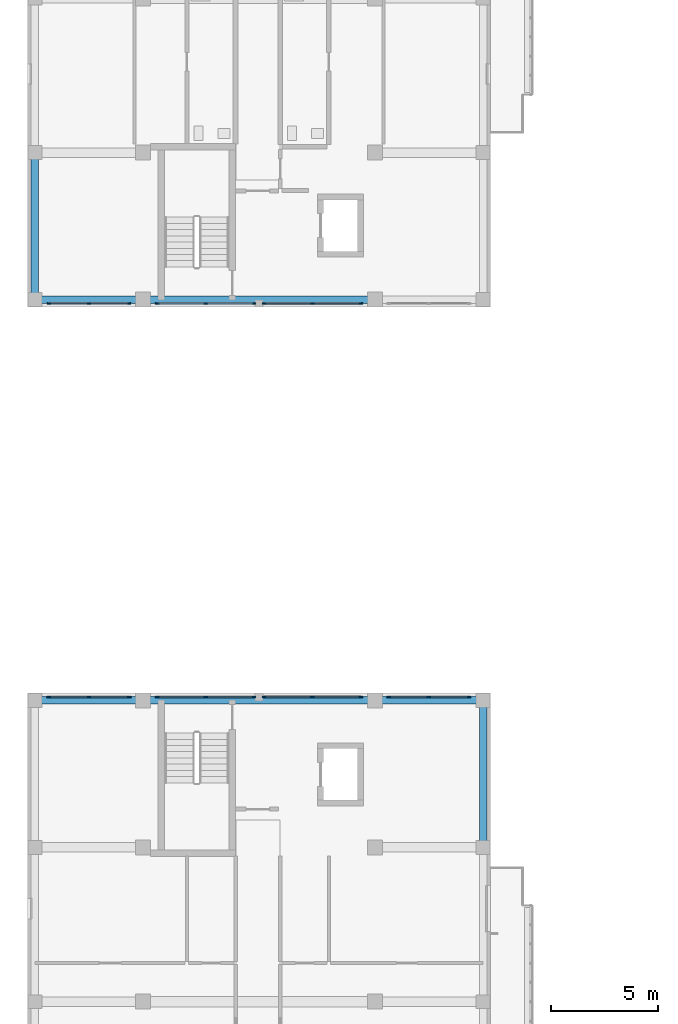
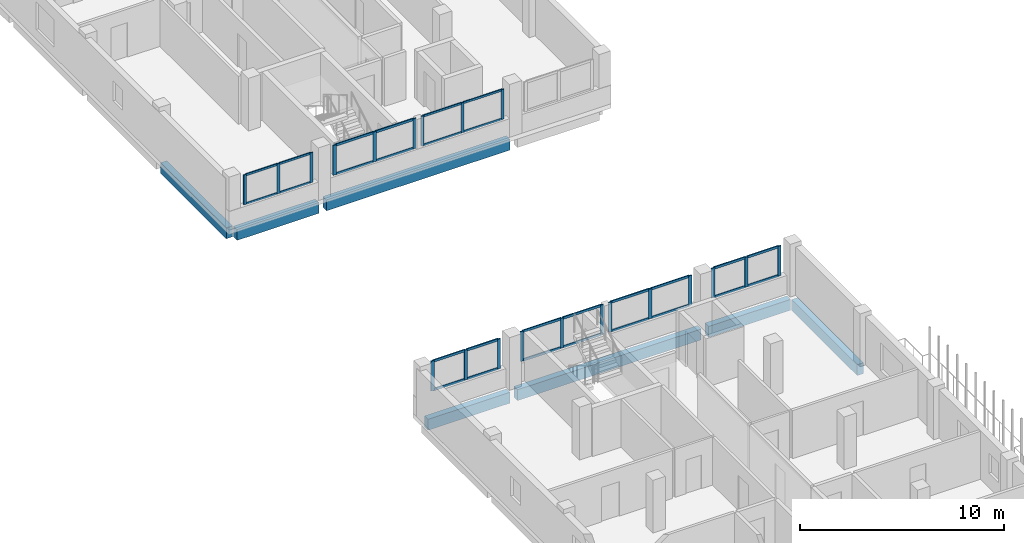
# One storey, part 7 of 51: 49 members, 7 beams, 7 elements without a shape of their own.
"""IFC4 building model written with IfcOpenShell, lengths in metres."""

import ifcopenshell
import ifcopenshell.guid

model = None  # the IFC model being written
_history = None  # IfcOwnerHistory: only IFC2X3 demands one
_inside = {}  # id of a spatial element -> (the spatial element, [elements in it])
_under = {}  # id of a project, library or spatial element -> (it, [spatial elements below it])
_declared = {}  # id of a project -> (the project, [libraries it declares])
_typed = {}  # id of a type object -> (the type object, [elements of that type])
_made_of = {}  # id of a material, layer set ... -> (it, [elements and type objects made of it])


def new_model(schema):
    """Start an empty IFC model of exactly this schema.

    Asked for "IFC4X3", IfcOpenShell would pick the latest addendum, in which some entities
    have other attributes; the version numbers below select the first issue.
    IFC2X3 requires an IfcOwnerHistory on every rooted entity: one is made here for all.
    """
    global model, _history
    if schema == "IFC4X3":
        model = ifcopenshell.file(schema_version=(4, 3, 0, 0))
    else:
        model = ifcopenshell.file(schema=schema)
    _inside.clear()
    _under.clear()
    _declared.clear()
    _typed.clear()
    _made_of.clear()
    _history = None
    if model.schema == "IFC2X3":
        org = make("IfcOrganization", Name="unknown")
        user = make(
            "IfcPersonAndOrganization",
            ThePerson=make("IfcPerson", FamilyName="unknown"),
            TheOrganization=org,
        )
        app = make(
            "IfcApplication",
            ApplicationDeveloper=org,
            Version="unknown",
            ApplicationFullName="unknown",
            ApplicationIdentifier="unknown",
        )
        _history = make(
            "IfcOwnerHistory",
            OwningUser=user,
            OwningApplication=app,
            ChangeAction="ADDED",
            CreationDate=0,
        )
    return model


def make(cls, **values):
    """One entity of the class cls with the attributes given. An attribute that is None is left unset."""
    return model.create_entity(
        cls, **{name: value for name, value in values.items() if value is not None}
    )


def rooted(cls, **values):
    """An entity with a GlobalId (a new one), such as an element, a storey or a relation."""
    return make(cls, GlobalId=ifcopenshell.guid.new(), OwnerHistory=_history, **values)


def si_unit(unit_type, name, prefix=None):
    """IfcSIUnit, for example si_unit("LENGTHUNIT", "METRE", prefix="MILLI")."""
    return make("IfcSIUnit", UnitType=unit_type, Prefix=prefix, Name=name)


def derived_unit(unit_type, elements):
    """IfcDerivedUnit: a product of units, each with its exponent."""
    return make(
        "IfcDerivedUnit",
        Elements=[
            make("IfcDerivedUnitElement", Unit=unit, Exponent=power)
            for unit, power in elements
        ],
        UnitType=unit_type,
    )


def assignment(units):
    """IfcUnitAssignment: the units of a project."""
    return None if units is None else make("IfcUnitAssignment", Units=units)


def point(xyz):
    """IfcCartesianPoint."""
    return None if xyz is None else make("IfcCartesianPoint", Coordinates=xyz)


def direction(xyz):
    """IfcDirection."""
    return None if xyz is None else make("IfcDirection", DirectionRatios=xyz)


def frame(location, z_axis=None, x_axis=None):
    """IfcAxis2Placement3D, a coordinate frame: its origin and axes. An axis left out is left unset."""
    return make(
        "IfcAxis2Placement3D",
        Location=point(location),
        Axis=direction(z_axis),
        RefDirection=direction(x_axis),
    )


def frame_2d(location, x_axis=None):
    """IfcAxis2Placement2D, a coordinate frame in the plane: its origin and x axis."""
    return make(
        "IfcAxis2Placement2D", Location=point(location), RefDirection=direction(x_axis)
    )


def origin():
    """The frame at (0, 0, 0) with its axes left unset."""
    return frame((0.0, 0.0, 0.0))


def origin_2d():
    """The frame at (0, 0) in the plane with its x axis left unset."""
    return frame_2d((0.0, 0.0))


def place(relative_to, where):
    """IfcLocalPlacement: puts the frame where relative to a parent placement (None: the world)."""
    return make(
        "IfcLocalPlacement", PlacementRelTo=relative_to, RelativePlacement=where
    )


def context(
    kind, dimensions, precision=None, world=None, true_north=None, identifier=None
):
    """IfcGeometricRepresentationContext, for example the 3D "Model" context."""
    return make(
        "IfcGeometricRepresentationContext",
        ContextIdentifier=identifier,
        ContextType=kind,
        CoordinateSpaceDimension=dimensions,
        Precision=precision,
        WorldCoordinateSystem=world,
        TrueNorth=true_north,
    )


def subcontext(parent, identifier, kind, view, scale=None):
    """IfcGeometricRepresentationSubContext, for example "Body" below "Model"."""
    return make(
        "IfcGeometricRepresentationSubContext",
        ContextIdentifier=identifier,
        ContextType=kind,
        ParentContext=parent,
        TargetScale=scale,
        TargetView=view,
    )


def project(units=None, contexts=None):
    """IfcProject with its units and contexts."""
    return rooted(
        "IfcProject",
        Name="project",
        RepresentationContexts=contexts,
        UnitsInContext=assignment(units),
    )


def spatial(cls, under=None, at=None, **own):
    """A site, building, storey or space (cls), placed at a placement, below another one or the project."""
    s = rooted(cls, ObjectPlacement=at, **own)
    if under is not None:
        _under.setdefault(under.id(), (under, []))[1].append(s)
    return s


def profile(cls, at=None, kind="AREA", **sizes):
    """A parametric profile (cls). Its sizes go by their IFC names, for example OverallWidth=200.0."""
    return make(cls, ProfileType=kind, Position=at, **sizes)


def rectangle(**sizes):
    """IfcRectangleProfileDef."""
    return profile("IfcRectangleProfileDef", **sizes)


def extrude(swept, where, along, depth):
    """IfcExtrudedAreaSolid: the profile swept, set in the frame where, extruded along a direction by depth."""
    return make(
        "IfcExtrudedAreaSolid",
        SweptArea=swept,
        Position=where,
        ExtrudedDirection=direction(along),
        Depth=depth,
    )


def shape(context_of_items, identifier, shape_type, items):
    """IfcShapeRepresentation: the items that make up one representation, for example the "Body"."""
    return make(
        "IfcShapeRepresentation",
        ContextOfItems=context_of_items,
        RepresentationIdentifier=identifier,
        RepresentationType=shape_type,
        Items=items,
    )


def material(Name=None, Category=None):
    """IfcMaterial."""
    return make("IfcMaterial", Name=Name, Category=Category)


def layer(
    of_material, thickness, ventilated=None, Name=None, Category=None, Priority=None
):
    """IfcMaterialLayer: one layer of a wall or slab, of a material (None: an air gap)."""
    return make(
        "IfcMaterialLayer",
        Material=of_material,
        LayerThickness=thickness,
        IsVentilated=ventilated,
        Name=Name,
        Category=Category,
        Priority=Priority,
    )


def layer_set(layers, Name=None):
    """IfcMaterialLayerSet."""
    return make("IfcMaterialLayerSet", MaterialLayers=layers, LayerSetName=Name)


def material_profile(
    of_material, cross_section, Name=None, Category=None, Priority=None
):
    """IfcMaterialProfile: a cross section and its material."""
    return make(
        "IfcMaterialProfile",
        Name=Name,
        Material=of_material,
        Profile=cross_section,
        Priority=Priority,
        Category=Category,
    )


def profile_set(profiles, Name=None, composite=None):
    """IfcMaterialProfileSet."""
    return make(
        "IfcMaterialProfileSet",
        Name=Name,
        MaterialProfiles=profiles,
        CompositeProfile=composite,
    )


def made_of(thing, what):
    """Note that an element or type object is made of a material, layer set ...; save() writes the relation."""
    if what is not None:
        _made_of.setdefault(what.id(), (what, []))[1].append(thing)
    return thing


def type_object(cls, material=None, **own):
    """A type object (cls), such as IfcWallType, which elements share."""
    return made_of(rooted(cls, **own), material)


def element(
    cls,
    number,
    at=None,
    inside=None,
    cuts=None,
    type_object=None,
    material=None,
    context=None,
    identifier="Body",
    shape_type=None,
    held_by="IfcProductDefinitionShape",
    body=None,
    shapes=None,
    **own,
):
    """One element of the class cls, such as IfcWall. Its Tag is "e" and its number.

    at: its placement. inside: the storey or other place that contains it. cuts: it is an
    opening in that element (IfcRelVoidsElement). A single representation is given by context,
    identifier, shape_type and body (its items); several are given by shapes. held_by: the class
    of the entity that holds the representations. save() writes the other relations.
    """
    e = rooted(cls, Tag="e%d" % number, ObjectPlacement=at, **own)
    if body is not None:
        shapes = [shape(context, identifier, shape_type, body)]
    if shapes is not None:
        e.Representation = make(held_by, Representations=shapes)
    if inside is not None:
        _inside.setdefault(inside.id(), (inside, []))[1].append(e)
    if cuts is not None:
        rooted(
            "IfcRelVoidsElement", RelatingBuildingElement=cuts, RelatedOpeningElement=e
        )
    if type_object is not None:
        _typed.setdefault(type_object.id(), (type_object, []))[1].append(e)
    return made_of(e, material)


def aggregate(whole, parts):
    """IfcRelAggregates: a whole, such as a stair, and the parts it consists of."""
    return rooted("IfcRelAggregates", RelatingObject=whole, RelatedObjects=parts)


def save(model, path):
    """Write the relations noted so far, then the file.

    IfcRelAggregates (storeys below a building ...), IfcRelContainedInSpatialStructure (elements
    in a storey), IfcRelDefinesByType, IfcRelAssociatesMaterial and IfcRelDeclares: one each for
    every whole, place, type object, material and project.
    """
    for whole, parts in _under.values():
        aggregate(whole, parts)
    for where, things in _inside.values():
        rooted(
            "IfcRelContainedInSpatialStructure",
            RelatedElements=things,
            RelatingStructure=where,
        )
    for kind, things in _typed.values():
        rooted("IfcRelDefinesByType", RelatedObjects=things, RelatingType=kind)
    for what, things in _made_of.values():
        rooted("IfcRelAssociatesMaterial", RelatedObjects=things, RelatingMaterial=what)
    for by, libraries in _declared.values():
        rooted("IfcRelDeclares", RelatingContext=by, RelatedDefinitions=libraries)
    model.write(path)


model = new_model("IFC4")

# Units and contexts
model_context = context("Model", 3, precision=1e-05, world=origin(), true_north=direction((0.0, 1.0)))
body_context = subcontext(model_context, "Body", "Model", "MODEL_VIEW")
ifc_project = project(units=[si_unit("LENGTHUNIT", "METRE"), si_unit("AREAUNIT", "SQUARE_METRE"), si_unit("VOLUMEUNIT", "CUBIC_METRE"), si_unit("PLANEANGLEUNIT", "RADIAN"), si_unit("MASSUNIT", "GRAM", prefix="KILO"), derived_unit("THERMALTRANSMITTANCEUNIT", [(si_unit("MASSUNIT", "GRAM", prefix="KILO"), 1), (si_unit("TIMEUNIT", "SECOND"), -3), (si_unit("THERMODYNAMICTEMPERATUREUNIT", "KELVIN"), -1)])], contexts=[model_context])

# Site, building, storey
site_placement = place(None, origin())
site = spatial("IfcSite", under=ifc_project, at=site_placement, CompositionType="ELEMENT")
building_placement = place(site_placement, origin())
building = spatial("IfcBuilding", under=site, at=building_placement, Name="Ochrekiln Boulevard Commons", CompositionType="ELEMENT")
storey_placement = place(building_placement, frame((0.0, 0.0, 15.22509765625)))
storey = spatial("IfcBuildingStorey", under=building, at=storey_placement, Name="L04", CompositionType="ELEMENT", Elevation=15.22509765625)

# Curtain wall, members
ifc_material_1 = material(Name="Bronze-anodized extruded aluminium 6063-T6", Category="aluminium")
ifc_layer = layer(ifc_material_1, 0.172119140625)
ifc_layer_set = layer_set([ifc_layer], Name="Bronze-anodized extruded aluminium 6063-T6")
curtain_wall_type = type_object("IfcCurtainWallType", Name="CW-GABLE-A", PredefinedType="USERDEFINED", material=ifc_layer_set)
curtain_wall_1_placement = place(storey_placement, origin())
curtain_wall_1 = element("IfcCurtainWall", 1, at=curtain_wall_1_placement, inside=storey, type_object=curtain_wall_type, Name="Block A L04 Courtyard Glazed Gable Curtain Wall 1", ObjectType="GLAZED CURTAIN WALL", PredefinedType="USERDEFINED")
ifc_material_profile_1 = material_profile(ifc_material_1, rectangle(XDim=0.06005859375, YDim=0.159912109375, at=origin_2d()), Name="ALU-MUL-60x160")
ifc_profile_set_1 = profile_set([ifc_material_profile_1], Name="Bronze-anodized extruded aluminium 6063-T6")
member_type_1 = type_object("IfcMemberType", Name="CWM-60x160", PredefinedType="MULLION", material=ifc_profile_set_1)
member_1_placement = place(storey_placement, frame((1.0, 68.56005859375, 1.10986328125), z_axis=(0.0, 0.0, 1.0), x_axis=(0.0, 1.0, 0.0)))
member_1 = element("IfcMember", 2, at=member_1_placement, type_object=member_type_1, Name="CW-01 mullion 1", PredefinedType="MULLION", context=body_context, shape_type="SweptSolid", body=[
    extrude(rectangle(XDim=0.06005859375, YDim=0.159912109375, at=origin_2d()), origin(), (0.0, 0.0, 1.0), 1.780029296875),
])
member_2_placement = place(storey_placement, frame((2.875, 68.56005859375, 1.10986328125), z_axis=(0.0, 0.0, 1.0), x_axis=(0.0, 1.0, 0.0)))
member_2 = element("IfcMember", 3, at=member_2_placement, type_object=member_type_1, Name="CW-01 mullion 2", PredefinedType="MULLION", context=body_context, shape_type="SweptSolid", body=[
    extrude(rectangle(XDim=0.06005859375, YDim=0.159912109375, at=origin_2d()), origin(), (0.0, 0.0, 1.0), 1.780029296875),
])
member_3_placement = place(storey_placement, frame((4.75, 68.56005859375, 1.10986328125), z_axis=(0.0, 0.0, 1.0), x_axis=(0.0, 1.0, 0.0)))
member_3 = element("IfcMember", 4, at=member_3_placement, type_object=member_type_1, Name="CW-01 mullion 3", PredefinedType="MULLION", context=body_context, shape_type="SweptSolid", body=[
    extrude(rectangle(XDim=0.06005859375, YDim=0.159912109375, at=origin_2d()), origin(), (0.0, 0.0, 1.0), 1.780029296875),
])

curtain_wall_2_placement = place(storey_placement, origin())
curtain_wall_2 = element("IfcCurtainWall", 5, at=curtain_wall_2_placement, inside=storey, type_object=curtain_wall_type, Name="Block A L04 Courtyard Glazed Gable Curtain Wall 3", ObjectType="GLAZED CURTAIN WALL", PredefinedType="USERDEFINED")
member_4_placement = place(storey_placement, frame((11.030029296875, 68.56005859375, 1.10986328125), z_axis=(0.0, 0.0, 1.0), x_axis=(0.0, 1.0, 0.0)))
member_4 = element("IfcMember", 6, at=member_4_placement, type_object=member_type_1, Name="CW-01 mullion 1", PredefinedType="MULLION", context=body_context, shape_type="SweptSolid", body=[
    extrude(rectangle(XDim=0.06005859375, YDim=0.159912109375, at=origin_2d()), origin(), (0.0, 0.0, 1.0), 1.780029296875),
])
member_5_placement = place(storey_placement, frame((13.2900390625, 68.56005859375, 1.10986328125), z_axis=(0.0, 0.0, 1.0), x_axis=(0.0, 1.0, 0.0)))
member_5 = element("IfcMember", 7, at=member_5_placement, type_object=member_type_1, Name="CW-01 mullion 2", PredefinedType="MULLION", context=body_context, shape_type="SweptSolid", body=[
    extrude(rectangle(XDim=0.06005859375, YDim=0.159912109375, at=origin_2d()), origin(), (0.0, 0.0, 1.0), 1.780029296875),
])
member_6_placement = place(storey_placement, frame((15.550048828125, 68.56005859375, 1.10986328125), z_axis=(0.0, 0.0, 1.0), x_axis=(0.0, 1.0, 0.0)))
member_6 = element("IfcMember", 8, at=member_6_placement, type_object=member_type_1, Name="CW-01 mullion 3", PredefinedType="MULLION", context=body_context, shape_type="SweptSolid", body=[
    extrude(rectangle(XDim=0.06005859375, YDim=0.159912109375, at=origin_2d()), origin(), (0.0, 0.0, 1.0), 1.780029296875),
])

curtain_wall_3_placement = place(storey_placement, origin())
curtain_wall_3 = element("IfcCurtainWall", 9, at=curtain_wall_3_placement, inside=storey, type_object=curtain_wall_type, Name="Block A L04 Courtyard Glazed Gable Curtain Wall 2", ObjectType="GLAZED CURTAIN WALL", PredefinedType="USERDEFINED")
ifc_material_profile_2 = material_profile(ifc_material_1, rectangle(XDim=0.06494140625, YDim=0.179931640625, at=origin_2d()), Name="ALU-MUL-65x180")
ifc_profile_set_2 = profile_set([ifc_material_profile_2], Name="Bronze-anodized extruded aluminium 6063-T6")
member_type_2 = type_object("IfcMemberType", Name="CWM-65x180", PredefinedType="MULLION", material=ifc_profile_set_2)
member_7_placement = place(storey_placement, frame((6.052490234375, 68.56005859375, 1.10986328125), z_axis=(0.0, 0.0, 1.0), x_axis=(0.0, 1.0, 0.0)))
member_7 = element("IfcMember", 10, at=member_7_placement, type_object=member_type_2, Name="CW-01 mullion 1", PredefinedType="MULLION", context=body_context, shape_type="SweptSolid", body=[
    extrude(rectangle(XDim=0.06494140625, YDim=0.179931640625, at=origin_2d()), origin(), (0.0, 0.0, 1.0), 1.780029296875),
])
member_8_placement = place(storey_placement, frame((8.31005859375, 68.56005859375, 1.10986328125), z_axis=(0.0, 0.0, 1.0), x_axis=(0.0, 1.0, 0.0)))
member_8 = element("IfcMember", 11, at=member_8_placement, type_object=member_type_2, Name="CW-01 mullion 2", PredefinedType="MULLION", context=body_context, shape_type="SweptSolid", body=[
    extrude(rectangle(XDim=0.06494140625, YDim=0.179931640625, at=origin_2d()), origin(), (0.0, 0.0, 1.0), 1.780029296875),
])
member_9_placement = place(storey_placement, frame((10.5673828125, 68.56005859375, 1.10986328125), z_axis=(0.0, 0.0, 1.0), x_axis=(0.0, 1.0, 0.0)))
member_9 = element("IfcMember", 12, at=member_9_placement, type_object=member_type_2, Name="CW-01 mullion 3", PredefinedType="MULLION", context=body_context, shape_type="SweptSolid", body=[
    extrude(rectangle(XDim=0.06494140625, YDim=0.179931640625, at=origin_2d()), origin(), (0.0, 0.0, 1.0), 1.780029296875),
])

curtain_wall_4_placement = place(storey_placement, origin())
curtain_wall_4 = element("IfcCurtainWall", 13, at=curtain_wall_4_placement, inside=storey, type_object=curtain_wall_type, Name="Block D L04 Courtyard Glazed Gable Curtain Wall 1", ObjectType="GLAZED CURTAIN WALL", PredefinedType="USERDEFINED")
member_10_placement = place(storey_placement, frame((1.00244140625, 50.217529296875, 1.10986328125), z_axis=(0.0, 0.0, 1.0), x_axis=(0.0, 1.0, 0.0)))
member_10 = element("IfcMember", 14, at=member_10_placement, type_object=member_type_2, Name="CW-01 mullion 1", PredefinedType="MULLION", context=body_context, shape_type="SweptSolid", body=[
    extrude(rectangle(XDim=0.06494140625, YDim=0.179931640625, at=origin_2d()), origin(), (0.0, 0.0, 1.0), 1.780029296875),
])
member_11_placement = place(storey_placement, frame((2.875, 50.217529296875, 1.10986328125), z_axis=(0.0, 0.0, 1.0), x_axis=(0.0, 1.0, 0.0)))
member_11 = element("IfcMember", 15, at=member_11_placement, type_object=member_type_2, Name="CW-01 mullion 2", PredefinedType="MULLION", context=body_context, shape_type="SweptSolid", body=[
    extrude(rectangle(XDim=0.06494140625, YDim=0.179931640625, at=origin_2d()), origin(), (0.0, 0.0, 1.0), 1.780029296875),
])
member_12_placement = place(storey_placement, frame((4.74755859375, 50.217529296875, 1.10986328125), z_axis=(0.0, 0.0, 1.0), x_axis=(0.0, 1.0, 0.0)))
member_12 = element("IfcMember", 16, at=member_12_placement, type_object=member_type_2, Name="CW-01 mullion 3", PredefinedType="MULLION", context=body_context, shape_type="SweptSolid", body=[
    extrude(rectangle(XDim=0.06494140625, YDim=0.179931640625, at=origin_2d()), origin(), (0.0, 0.0, 1.0), 1.780029296875),
])

curtain_wall_5_placement = place(storey_placement, origin())
curtain_wall_5 = element("IfcCurtainWall", 17, at=curtain_wall_5_placement, inside=storey, type_object=curtain_wall_type, Name="Block D L04 Courtyard Glazed Gable Curtain Wall 2", ObjectType="GLAZED CURTAIN WALL", PredefinedType="USERDEFINED")
member_13_placement = place(storey_placement, frame((6.052490234375, 50.217529296875, 1.10986328125), z_axis=(0.0, 0.0, 1.0), x_axis=(0.0, 1.0, 0.0)))
member_13 = element("IfcMember", 18, at=member_13_placement, type_object=member_type_2, Name="CW-01 mullion 1", PredefinedType="MULLION", context=body_context, shape_type="SweptSolid", body=[
    extrude(rectangle(XDim=0.06494140625, YDim=0.179931640625, at=origin_2d()), origin(), (0.0, 0.0, 1.0), 1.780029296875),
])
member_14_placement = place(storey_placement, frame((8.31005859375, 50.217529296875, 1.10986328125), z_axis=(0.0, 0.0, 1.0), x_axis=(0.0, 1.0, 0.0)))
member_14 = element("IfcMember", 19, at=member_14_placement, type_object=member_type_2, Name="CW-01 mullion 2", PredefinedType="MULLION", context=body_context, shape_type="SweptSolid", body=[
    extrude(rectangle(XDim=0.06494140625, YDim=0.179931640625, at=origin_2d()), origin(), (0.0, 0.0, 1.0), 1.780029296875),
])
member_15_placement = place(storey_placement, frame((10.5673828125, 50.217529296875, 1.10986328125), z_axis=(0.0, 0.0, 1.0), x_axis=(0.0, 1.0, 0.0)))
member_15 = element("IfcMember", 20, at=member_15_placement, type_object=member_type_2, Name="CW-01 mullion 3", PredefinedType="MULLION", context=body_context, shape_type="SweptSolid", body=[
    extrude(rectangle(XDim=0.06494140625, YDim=0.179931640625, at=origin_2d()), origin(), (0.0, 0.0, 1.0), 1.780029296875),
])

curtain_wall_6_placement = place(storey_placement, origin())
curtain_wall_6 = element("IfcCurtainWall", 21, at=curtain_wall_6_placement, inside=storey, type_object=curtain_wall_type, Name="Block D L04 Courtyard Glazed Gable Curtain Wall 3", ObjectType="GLAZED CURTAIN WALL", PredefinedType="USERDEFINED")
member_16_placement = place(storey_placement, frame((11.032470703125, 50.217529296875, 1.10986328125), z_axis=(0.0, 0.0, 1.0), x_axis=(0.0, 1.0, 0.0)))
member_16 = element("IfcMember", 22, at=member_16_placement, type_object=member_type_2, Name="CW-01 mullion 1", PredefinedType="MULLION", context=body_context, shape_type="SweptSolid", body=[
    extrude(rectangle(XDim=0.06494140625, YDim=0.179931640625, at=origin_2d()), origin(), (0.0, 0.0, 1.0), 1.780029296875),
])
member_17_placement = place(storey_placement, frame((13.2900390625, 50.217529296875, 1.10986328125), z_axis=(0.0, 0.0, 1.0), x_axis=(0.0, 1.0, 0.0)))
member_17 = element("IfcMember", 23, at=member_17_placement, type_object=member_type_2, Name="CW-01 mullion 2", PredefinedType="MULLION", context=body_context, shape_type="SweptSolid", body=[
    extrude(rectangle(XDim=0.06494140625, YDim=0.179931640625, at=origin_2d()), origin(), (0.0, 0.0, 1.0), 1.780029296875),
])
member_18_placement = place(storey_placement, frame((15.547607421875, 50.217529296875, 1.10986328125), z_axis=(0.0, 0.0, 1.0), x_axis=(0.0, 1.0, 0.0)))
member_18 = element("IfcMember", 24, at=member_18_placement, type_object=member_type_2, Name="CW-01 mullion 3", PredefinedType="MULLION", context=body_context, shape_type="SweptSolid", body=[
    extrude(rectangle(XDim=0.06494140625, YDim=0.179931640625, at=origin_2d()), origin(), (0.0, 0.0, 1.0), 1.780029296875),
])

curtain_wall_7_placement = place(storey_placement, origin())
curtain_wall_7 = element("IfcCurtainWall", 25, at=curtain_wall_7_placement, inside=storey, type_object=curtain_wall_type, Name="Block D L04 Courtyard Glazed Gable Curtain Wall 4", ObjectType="GLAZED CURTAIN WALL", PredefinedType="USERDEFINED")
member_19_placement = place(storey_placement, frame((16.8525390625, 50.217529296875, 1.10986328125), z_axis=(0.0, 0.0, 1.0), x_axis=(0.0, 1.0, 0.0)))
member_19 = element("IfcMember", 26, at=member_19_placement, type_object=member_type_2, Name="CW-01 mullion 1", PredefinedType="MULLION", context=body_context, shape_type="SweptSolid", body=[
    extrude(rectangle(XDim=0.06494140625, YDim=0.179931640625, at=origin_2d()), origin(), (0.0, 0.0, 1.0), 1.780029296875),
])
member_20_placement = place(storey_placement, frame((18.72509765625, 50.217529296875, 1.10986328125), z_axis=(0.0, 0.0, 1.0), x_axis=(0.0, 1.0, 0.0)))
member_20 = element("IfcMember", 27, at=member_20_placement, type_object=member_type_2, Name="CW-01 mullion 2", PredefinedType="MULLION", context=body_context, shape_type="SweptSolid", body=[
    extrude(rectangle(XDim=0.06494140625, YDim=0.179931640625, at=origin_2d()), origin(), (0.0, 0.0, 1.0), 1.780029296875),
])
member_21_placement = place(storey_placement, frame((20.597412109375, 50.217529296875, 1.10986328125), z_axis=(0.0, 0.0, 1.0), x_axis=(0.0, 1.0, 0.0)))
member_21 = element("IfcMember", 28, at=member_21_placement, type_object=member_type_2, Name="CW-01 mullion 3", PredefinedType="MULLION", context=body_context, shape_type="SweptSolid", body=[
    extrude(rectangle(XDim=0.06494140625, YDim=0.179931640625, at=origin_2d()), origin(), (0.0, 0.0, 1.0), 1.780029296875),
])

# Member
ifc_material_profile_3 = material_profile(ifc_material_1, rectangle(XDim=0.06005859375, YDim=0.1201171875, at=origin_2d()), Name="ALU-TRN-60x120")
ifc_profile_set_3 = profile_set([ifc_material_profile_3], Name="Bronze-anodized extruded aluminium 6063-T6")
member_type_3 = type_object("IfcMemberType", Name="CWT-60x120", PredefinedType="USERDEFINED", material=ifc_profile_set_3)
member_22_placement = place(storey_placement, frame((1.030029296875, 68.56005859375, 1.139892578125), z_axis=(1.0, 0.0, 0.0), x_axis=(0.0, 1.0, 0.0)))
member_22 = element("IfcMember", 29, at=member_22_placement, type_object=member_type_3, Name="CW-01 transom 1.1", ObjectType="TRANSOM", PredefinedType="USERDEFINED", context=body_context, shape_type="SweptSolid", body=[
    extrude(rectangle(XDim=0.06005859375, YDim=0.1201171875, at=origin_2d()), origin(), (0.0, 0.0, 1.0), 1.81494140625),
])

member_23_placement = place(storey_placement, frame((1.030029296875, 68.56005859375, 2.85986328125), z_axis=(1.0, 0.0, 0.0), x_axis=(0.0, 1.0, 0.0)))
member_23 = element("IfcMember", 30, at=member_23_placement, type_object=member_type_3, Name="CW-01 transom 1.2", ObjectType="TRANSOM", PredefinedType="USERDEFINED", context=body_context, shape_type="SweptSolid", body=[
    extrude(rectangle(XDim=0.06005859375, YDim=0.1201171875, at=origin_2d()), origin(), (0.0, 0.0, 1.0), 1.81494140625),
])

member_24_placement = place(storey_placement, frame((2.905029296875, 68.56005859375, 1.139892578125), z_axis=(1.0, 0.0, 0.0), x_axis=(0.0, 1.0, 0.0)))
member_24 = element("IfcMember", 31, at=member_24_placement, type_object=member_type_3, Name="CW-01 transom 2.1", ObjectType="TRANSOM", PredefinedType="USERDEFINED", context=body_context, shape_type="SweptSolid", body=[
    extrude(rectangle(XDim=0.06005859375, YDim=0.1201171875, at=origin_2d()), origin(), (0.0, 0.0, 1.0), 1.81494140625),
])

member_25_placement = place(storey_placement, frame((2.905029296875, 68.56005859375, 2.85986328125), z_axis=(1.0, 0.0, 0.0), x_axis=(0.0, 1.0, 0.0)))
member_25 = element("IfcMember", 32, at=member_25_placement, type_object=member_type_3, Name="CW-01 transom 2.2", ObjectType="TRANSOM", PredefinedType="USERDEFINED", context=body_context, shape_type="SweptSolid", body=[
    extrude(rectangle(XDim=0.06005859375, YDim=0.1201171875, at=origin_2d()), origin(), (0.0, 0.0, 1.0), 1.81494140625),
])

aggregate(curtain_wall_1, [member_1, member_2, member_3, member_22, member_23, member_24, member_25])

member_26_placement = place(storey_placement, frame((11.06005859375, 68.56005859375, 1.139892578125), z_axis=(1.0, 0.0, 0.0), x_axis=(0.0, 1.0, 0.0)))
member_26 = element("IfcMember", 33, at=member_26_placement, type_object=member_type_3, Name="CW-01 transom 1.1", ObjectType="TRANSOM", PredefinedType="USERDEFINED", context=body_context, shape_type="SweptSolid", body=[
    extrude(rectangle(XDim=0.06005859375, YDim=0.1201171875, at=origin_2d()), origin(), (0.0, 0.0, 1.0), 2.199951171875),
])

member_27_placement = place(storey_placement, frame((11.06005859375, 68.56005859375, 2.85986328125), z_axis=(1.0, 0.0, 0.0), x_axis=(0.0, 1.0, 0.0)))
member_27 = element("IfcMember", 34, at=member_27_placement, type_object=member_type_3, Name="CW-01 transom 1.2", ObjectType="TRANSOM", PredefinedType="USERDEFINED", context=body_context, shape_type="SweptSolid", body=[
    extrude(rectangle(XDim=0.06005859375, YDim=0.1201171875, at=origin_2d()), origin(), (0.0, 0.0, 1.0), 2.199951171875),
])

member_28_placement = place(storey_placement, frame((13.320068359375, 68.56005859375, 1.139892578125), z_axis=(1.0, 0.0, 0.0), x_axis=(0.0, 1.0, 0.0)))
member_28 = element("IfcMember", 35, at=member_28_placement, type_object=member_type_3, Name="CW-01 transom 2.1", ObjectType="TRANSOM", PredefinedType="USERDEFINED", context=body_context, shape_type="SweptSolid", body=[
    extrude(rectangle(XDim=0.06005859375, YDim=0.1201171875, at=origin_2d()), origin(), (0.0, 0.0, 1.0), 2.199951171875),
])

member_29_placement = place(storey_placement, frame((13.320068359375, 68.56005859375, 2.85986328125), z_axis=(1.0, 0.0, 0.0), x_axis=(0.0, 1.0, 0.0)))
member_29 = element("IfcMember", 36, at=member_29_placement, type_object=member_type_3, Name="CW-01 transom 2.2", ObjectType="TRANSOM", PredefinedType="USERDEFINED", context=body_context, shape_type="SweptSolid", body=[
    extrude(rectangle(XDim=0.06005859375, YDim=0.1201171875, at=origin_2d()), origin(), (0.0, 0.0, 1.0), 2.199951171875),
])

aggregate(curtain_wall_2, [member_4, member_5, member_6, member_26, member_27, member_28, member_29])

ifc_material_profile_4 = material_profile(ifc_material_1, rectangle(XDim=0.06494140625, YDim=0.139892578125, at=origin_2d()), Name="ALU-TRN-65x140")
ifc_profile_set_4 = profile_set([ifc_material_profile_4], Name="Bronze-anodized extruded aluminium 6063-T6")
member_type_4 = type_object("IfcMemberType", Name="CWT-65x140", PredefinedType="USERDEFINED", material=ifc_profile_set_4)
member_30_placement = place(storey_placement, frame((6.0849609375, 68.56005859375, 1.142333984375), z_axis=(1.0, 0.0, 0.0), x_axis=(0.0, 1.0, 0.0)))
member_30 = element("IfcMember", 37, at=member_30_placement, type_object=member_type_4, Name="CW-01 transom 1.1", ObjectType="TRANSOM", PredefinedType="USERDEFINED", context=body_context, shape_type="SweptSolid", body=[
    extrude(rectangle(XDim=0.06494140625, YDim=0.139892578125, at=origin_2d()), origin(), (0.0, 0.0, 1.0), 2.192626953125),
])

member_31_placement = place(storey_placement, frame((6.0849609375, 68.56005859375, 2.857421875), z_axis=(1.0, 0.0, 0.0), x_axis=(0.0, 1.0, 0.0)))
member_31 = element("IfcMember", 38, at=member_31_placement, type_object=member_type_4, Name="CW-01 transom 1.2", ObjectType="TRANSOM", PredefinedType="USERDEFINED", context=body_context, shape_type="SweptSolid", body=[
    extrude(rectangle(XDim=0.06494140625, YDim=0.139892578125, at=origin_2d()), origin(), (0.0, 0.0, 1.0), 2.192626953125),
])

member_32_placement = place(storey_placement, frame((8.342529296875, 68.56005859375, 1.142333984375), z_axis=(1.0, 0.0, 0.0), x_axis=(0.0, 1.0, 0.0)))
member_32 = element("IfcMember", 39, at=member_32_placement, type_object=member_type_4, Name="CW-01 transom 2.1", ObjectType="TRANSOM", PredefinedType="USERDEFINED", context=body_context, shape_type="SweptSolid", body=[
    extrude(rectangle(XDim=0.06494140625, YDim=0.139892578125, at=origin_2d()), origin(), (0.0, 0.0, 1.0), 2.1923828125),
])

member_33_placement = place(storey_placement, frame((8.342529296875, 68.56005859375, 2.857421875), z_axis=(1.0, 0.0, 0.0), x_axis=(0.0, 1.0, 0.0)))
member_33 = element("IfcMember", 40, at=member_33_placement, type_object=member_type_4, Name="CW-01 transom 2.2", ObjectType="TRANSOM", PredefinedType="USERDEFINED", context=body_context, shape_type="SweptSolid", body=[
    extrude(rectangle(XDim=0.06494140625, YDim=0.139892578125, at=origin_2d()), origin(), (0.0, 0.0, 1.0), 2.1923828125),
])

aggregate(curtain_wall_3, [member_7, member_8, member_9, member_30, member_31, member_32, member_33])

member_34_placement = place(storey_placement, frame((1.034912109375, 50.217529296875, 1.142333984375), z_axis=(1.0, 0.0, 0.0), x_axis=(0.0, 1.0, 0.0)))
member_34 = element("IfcMember", 41, at=member_34_placement, type_object=member_type_4, Name="CW-01 transom 1.1", ObjectType="TRANSOM", PredefinedType="USERDEFINED", context=body_context, shape_type="SweptSolid", body=[
    extrude(rectangle(XDim=0.06494140625, YDim=0.139892578125, at=origin_2d()), origin(), (0.0, 0.0, 1.0), 1.8076171875),
])

member_35_placement = place(storey_placement, frame((1.034912109375, 50.217529296875, 2.857421875), z_axis=(1.0, 0.0, 0.0), x_axis=(0.0, 1.0, 0.0)))
member_35 = element("IfcMember", 42, at=member_35_placement, type_object=member_type_4, Name="CW-01 transom 1.2", ObjectType="TRANSOM", PredefinedType="USERDEFINED", context=body_context, shape_type="SweptSolid", body=[
    extrude(rectangle(XDim=0.06494140625, YDim=0.139892578125, at=origin_2d()), origin(), (0.0, 0.0, 1.0), 1.8076171875),
])

member_36_placement = place(storey_placement, frame((2.907470703125, 50.217529296875, 1.142333984375), z_axis=(1.0, 0.0, 0.0), x_axis=(0.0, 1.0, 0.0)))
member_36 = element("IfcMember", 43, at=member_36_placement, type_object=member_type_4, Name="CW-01 transom 2.1", ObjectType="TRANSOM", PredefinedType="USERDEFINED", context=body_context, shape_type="SweptSolid", body=[
    extrude(rectangle(XDim=0.06494140625, YDim=0.139892578125, at=origin_2d()), origin(), (0.0, 0.0, 1.0), 1.8076171875),
])

member_37_placement = place(storey_placement, frame((2.907470703125, 50.217529296875, 2.857421875), z_axis=(1.0, 0.0, 0.0), x_axis=(0.0, 1.0, 0.0)))
member_37 = element("IfcMember", 44, at=member_37_placement, type_object=member_type_4, Name="CW-01 transom 2.2", ObjectType="TRANSOM", PredefinedType="USERDEFINED", context=body_context, shape_type="SweptSolid", body=[
    extrude(rectangle(XDim=0.06494140625, YDim=0.139892578125, at=origin_2d()), origin(), (0.0, 0.0, 1.0), 1.8076171875),
])

aggregate(curtain_wall_4, [member_10, member_11, member_12, member_34, member_35, member_36, member_37])

member_38_placement = place(storey_placement, frame((6.0849609375, 50.217529296875, 1.142333984375), z_axis=(1.0, 0.0, 0.0), x_axis=(0.0, 1.0, 0.0)))
member_38 = element("IfcMember", 45, at=member_38_placement, type_object=member_type_4, Name="CW-01 transom 1.1", ObjectType="TRANSOM", PredefinedType="USERDEFINED", context=body_context, shape_type="SweptSolid", body=[
    extrude(rectangle(XDim=0.06494140625, YDim=0.139892578125, at=origin_2d()), origin(), (0.0, 0.0, 1.0), 2.192626953125),
])

member_39_placement = place(storey_placement, frame((6.0849609375, 50.217529296875, 2.857421875), z_axis=(1.0, 0.0, 0.0), x_axis=(0.0, 1.0, 0.0)))
member_39 = element("IfcMember", 46, at=member_39_placement, type_object=member_type_4, Name="CW-01 transom 1.2", ObjectType="TRANSOM", PredefinedType="USERDEFINED", context=body_context, shape_type="SweptSolid", body=[
    extrude(rectangle(XDim=0.06494140625, YDim=0.139892578125, at=origin_2d()), origin(), (0.0, 0.0, 1.0), 2.192626953125),
])

member_40_placement = place(storey_placement, frame((8.342529296875, 50.217529296875, 1.142333984375), z_axis=(1.0, 0.0, 0.0), x_axis=(0.0, 1.0, 0.0)))
member_40 = element("IfcMember", 47, at=member_40_placement, type_object=member_type_4, Name="CW-01 transom 2.1", ObjectType="TRANSOM", PredefinedType="USERDEFINED", context=body_context, shape_type="SweptSolid", body=[
    extrude(rectangle(XDim=0.06494140625, YDim=0.139892578125, at=origin_2d()), origin(), (0.0, 0.0, 1.0), 2.1923828125),
])

member_41_placement = place(storey_placement, frame((8.342529296875, 50.217529296875, 2.857421875), z_axis=(1.0, 0.0, 0.0), x_axis=(0.0, 1.0, 0.0)))
member_41 = element("IfcMember", 48, at=member_41_placement, type_object=member_type_4, Name="CW-01 transom 2.2", ObjectType="TRANSOM", PredefinedType="USERDEFINED", context=body_context, shape_type="SweptSolid", body=[
    extrude(rectangle(XDim=0.06494140625, YDim=0.139892578125, at=origin_2d()), origin(), (0.0, 0.0, 1.0), 2.1923828125),
])

aggregate(curtain_wall_5, [member_13, member_14, member_15, member_38, member_39, member_40, member_41])

member_42_placement = place(storey_placement, frame((11.06494140625, 50.217529296875, 1.142333984375), z_axis=(1.0, 0.0, 0.0), x_axis=(0.0, 1.0, 0.0)))
member_42 = element("IfcMember", 49, at=member_42_placement, type_object=member_type_4, Name="CW-01 transom 1.1", ObjectType="TRANSOM", PredefinedType="USERDEFINED", context=body_context, shape_type="SweptSolid", body=[
    extrude(rectangle(XDim=0.06494140625, YDim=0.139892578125, at=origin_2d()), origin(), (0.0, 0.0, 1.0), 2.192626953125),
])

member_43_placement = place(storey_placement, frame((11.06494140625, 50.217529296875, 2.857421875), z_axis=(1.0, 0.0, 0.0), x_axis=(0.0, 1.0, 0.0)))
member_43 = element("IfcMember", 50, at=member_43_placement, type_object=member_type_4, Name="CW-01 transom 1.2", ObjectType="TRANSOM", PredefinedType="USERDEFINED", context=body_context, shape_type="SweptSolid", body=[
    extrude(rectangle(XDim=0.06494140625, YDim=0.139892578125, at=origin_2d()), origin(), (0.0, 0.0, 1.0), 2.192626953125),
])

member_44_placement = place(storey_placement, frame((13.322509765625, 50.217529296875, 1.142333984375), z_axis=(1.0, 0.0, 0.0), x_axis=(0.0, 1.0, 0.0)))
member_44 = element("IfcMember", 51, at=member_44_placement, type_object=member_type_4, Name="CW-01 transom 2.1", ObjectType="TRANSOM", PredefinedType="USERDEFINED", context=body_context, shape_type="SweptSolid", body=[
    extrude(rectangle(XDim=0.06494140625, YDim=0.139892578125, at=origin_2d()), origin(), (0.0, 0.0, 1.0), 2.1923828125),
])

member_45_placement = place(storey_placement, frame((13.322509765625, 50.217529296875, 2.857421875), z_axis=(1.0, 0.0, 0.0), x_axis=(0.0, 1.0, 0.0)))
member_45 = element("IfcMember", 52, at=member_45_placement, type_object=member_type_4, Name="CW-01 transom 2.2", ObjectType="TRANSOM", PredefinedType="USERDEFINED", context=body_context, shape_type="SweptSolid", body=[
    extrude(rectangle(XDim=0.06494140625, YDim=0.139892578125, at=origin_2d()), origin(), (0.0, 0.0, 1.0), 2.1923828125),
])

aggregate(curtain_wall_6, [member_16, member_17, member_18, member_42, member_43, member_44, member_45])

member_46_placement = place(storey_placement, frame((16.885009765625, 50.217529296875, 1.142333984375), z_axis=(1.0, 0.0, 0.0), x_axis=(0.0, 1.0, 0.0)))
member_46 = element("IfcMember", 53, at=member_46_placement, type_object=member_type_4, Name="CW-01 transom 1.1", ObjectType="TRANSOM", PredefinedType="USERDEFINED", context=body_context, shape_type="SweptSolid", body=[
    extrude(rectangle(XDim=0.06494140625, YDim=0.139892578125, at=origin_2d()), origin(), (0.0, 0.0, 1.0), 1.807373046875),
])

member_47_placement = place(storey_placement, frame((16.885009765625, 50.217529296875, 2.857421875), z_axis=(1.0, 0.0, 0.0), x_axis=(0.0, 1.0, 0.0)))
member_47 = element("IfcMember", 54, at=member_47_placement, type_object=member_type_4, Name="CW-01 transom 1.2", ObjectType="TRANSOM", PredefinedType="USERDEFINED", context=body_context, shape_type="SweptSolid", body=[
    extrude(rectangle(XDim=0.06494140625, YDim=0.139892578125, at=origin_2d()), origin(), (0.0, 0.0, 1.0), 1.807373046875),
])

member_48_placement = place(storey_placement, frame((18.757568359375, 50.217529296875, 1.142333984375), z_axis=(1.0, 0.0, 0.0), x_axis=(0.0, 1.0, 0.0)))
member_48 = element("IfcMember", 55, at=member_48_placement, type_object=member_type_4, Name="CW-01 transom 2.1", ObjectType="TRANSOM", PredefinedType="USERDEFINED", context=body_context, shape_type="SweptSolid", body=[
    extrude(rectangle(XDim=0.06494140625, YDim=0.139892578125, at=origin_2d()), origin(), (0.0, 0.0, 1.0), 1.807373046875),
])

member_49_placement = place(storey_placement, frame((18.757568359375, 50.217529296875, 2.857421875), z_axis=(1.0, 0.0, 0.0), x_axis=(0.0, 1.0, 0.0)))
member_49 = element("IfcMember", 56, at=member_49_placement, type_object=member_type_4, Name="CW-01 transom 2.2", ObjectType="TRANSOM", PredefinedType="USERDEFINED", context=body_context, shape_type="SweptSolid", body=[
    extrude(rectangle(XDim=0.06494140625, YDim=0.139892578125, at=origin_2d()), origin(), (0.0, 0.0, 1.0), 1.807373046875),
])

aggregate(curtain_wall_7, [member_19, member_20, member_21, member_46, member_47, member_48, member_49])

# Beams
ifc_material_2 = material(Name="Concrete C40/50", Category="concrete")
ifc_material_profile_5 = material_profile(ifc_material_2, rectangle(XDim=0.35009765625, YDim=0.64990234375, at=origin_2d()), Name="RC-SPN-350x650")
ifc_profile_set_5 = profile_set([ifc_material_profile_5], Name="Concrete C40/50")
beam_type = type_object("IfcBeamType", Name="SPN-RC-350x650", PredefinedType="SPANDREL", material=ifc_profile_set_5)
beam_1_placement = place(storey_placement, frame((0.56005859375, 68.75, -0.585205078125), z_axis=(1.0, 0.0, 0.0), x_axis=(0.0, 1.0, 0.0)))
element("IfcBeam", 57, at=beam_1_placement, inside=storey, type_object=beam_type, Name="Block A L04 Beam SP-3565 X1", PredefinedType="SPANDREL", context=body_context, shape_type="SweptSolid", body=[
    extrude(rectangle(XDim=0.35009765625, YDim=0.64990234375, at=origin_2d()), origin(), (0.0, 0.0, 1.0), 4.6298828125),
])
beam_2_placement = place(storey_placement, frame((5.610107421875, 68.75, -0.585205078125), z_axis=(1.0, 0.0, 0.0), x_axis=(0.0, 1.0, 0.0)))
element("IfcBeam", 58, at=beam_2_placement, inside=storey, type_object=beam_type, Name="Block A L04 Beam SP-3565 X2", PredefinedType="SPANDREL", context=body_context, shape_type="SweptSolid", body=[
    extrude(rectangle(XDim=0.35009765625, YDim=0.64990234375, at=origin_2d()), origin(), (0.0, 0.0, 1.0), 10.3798828125),
])
beam_3_placement = place(storey_placement, frame((0.35009765625, 68.9599609375, -0.585205078125), z_axis=(0.0, 1.0, 0.0), x_axis=(-1.0, 0.0, 0.0)))
element("IfcBeam", 59, at=beam_3_placement, inside=storey, type_object=beam_type, Name="Block A L04 Beam SP-3565 Y23", PredefinedType="SPANDREL", context=body_context, shape_type="SweptSolid", body=[
    extrude(rectangle(XDim=0.35009765625, YDim=0.64990234375, at=origin_2d()), origin(), (0.0, 0.0, 1.0), 6.429931640625),
])
beam_4_placement = place(storey_placement, frame((0.56005859375, 50.050048828125, -0.585205078125), z_axis=(1.0, 0.0, 0.0), x_axis=(0.0, 1.0, 0.0)))
element("IfcBeam", 60, at=beam_4_placement, inside=storey, type_object=beam_type, Name="Block D L04 Beam SP-3565 X20", PredefinedType="SPANDREL", context=body_context, shape_type="SweptSolid", body=[
    extrude(rectangle(XDim=0.35009765625, YDim=0.64990234375, at=origin_2d()), origin(), (0.0, 0.0, 1.0), 4.6298828125),
])
beam_5_placement = place(storey_placement, frame((5.610107421875, 50.050048828125, -0.585205078125), z_axis=(1.0, 0.0, 0.0), x_axis=(0.0, 1.0, 0.0)))
element("IfcBeam", 61, at=beam_5_placement, inside=storey, type_object=beam_type, Name="Block D L04 Beam SP-3565 X21", PredefinedType="SPANDREL", context=body_context, shape_type="SweptSolid", body=[
    extrude(rectangle(XDim=0.35009765625, YDim=0.64990234375, at=origin_2d()), origin(), (0.0, 0.0, 1.0), 10.3798828125),
])
beam_6_placement = place(storey_placement, frame((16.409912109375, 50.050048828125, -0.585205078125), z_axis=(1.0, 0.0, 0.0), x_axis=(0.0, 1.0, 0.0)))
element("IfcBeam", 62, at=beam_6_placement, inside=storey, type_object=beam_type, Name="Block D L04 Beam SP-3565 X22", PredefinedType="SPANDREL", context=body_context, shape_type="SweptSolid", body=[
    extrude(rectangle(XDim=0.35009765625, YDim=0.64990234375, at=origin_2d()), origin(), (0.0, 0.0, 1.0), 4.630126953125),
])
beam_7_placement = place(storey_placement, frame((21.25, 43.409912109375, -0.585205078125), z_axis=(0.0, 1.0, 0.0), x_axis=(-1.0, 0.0, 0.0)))
element("IfcBeam", 63, at=beam_7_placement, inside=storey, type_object=beam_type, Name="Block D L04 Beam SP-3565 Y36", PredefinedType="SPANDREL", context=body_context, shape_type="SweptSolid", body=[
    extrude(rectangle(XDim=0.35009765625, YDim=0.64990234375, at=origin_2d()), origin(), (0.0, 0.0, 1.0), 6.43017578125),
])

save(model, "model.ifc")
